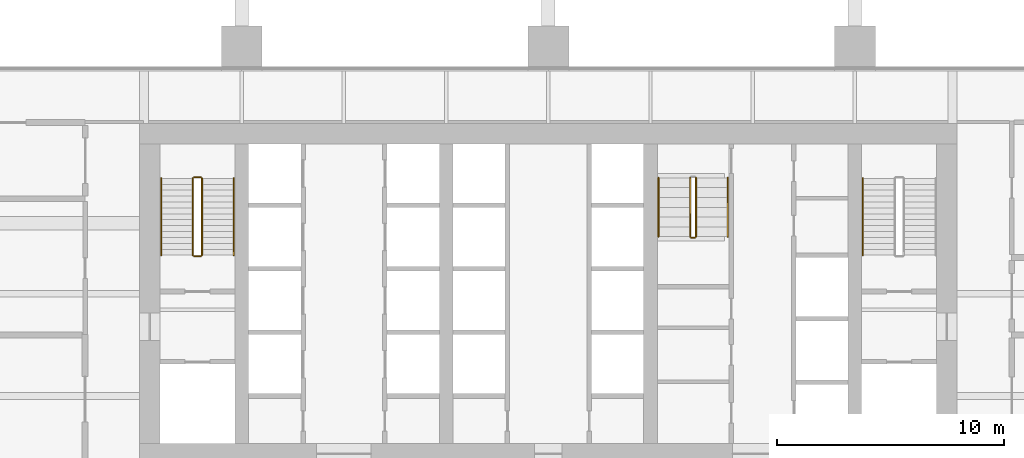
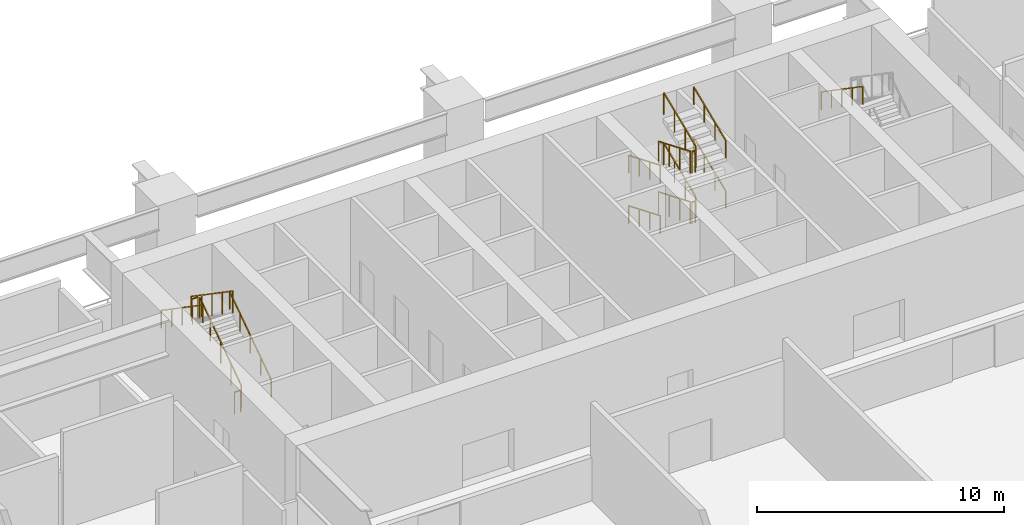
# One storey, part 8 of 11: 17 railings.
"""IFC4 building model written with IfcOpenShell, lengths in metres."""

from ifc_helpers import new_model, si_unit, direction, frame, origin, origin_2d, place, context, subcontext, project, spatial, rectangle, extrude, material, type_object, element, save


model = new_model("IFC4")

# Units and contexts
model_context = context("Model", 3, precision=1e-05, world=origin(), true_north=direction((0.0, 1.0)))
body_context = subcontext(model_context, "Body", "Model", "MODEL_VIEW")
ifc_project = project(units=[si_unit("LENGTHUNIT", "METRE"), si_unit("AREAUNIT", "SQUARE_METRE"), si_unit("VOLUMEUNIT", "CUBIC_METRE"), si_unit("PLANEANGLEUNIT", "RADIAN"), si_unit("MASSUNIT", "GRAM", prefix="KILO")], contexts=[model_context])

# Site, building, storey
site_placement = place(None, origin())
site = spatial("IfcSite", under=ifc_project, at=site_placement, CompositionType="ELEMENT")
building_placement = place(site_placement, origin())
building = spatial("IfcBuilding", under=site, at=building_placement, Name="Rattan Terrace Tower", CompositionType="ELEMENT")
storey_placement = place(building_placement, frame((0.0, 0.0, 69.300048828125)))
storey = spatial("IfcBuildingStorey", under=building, at=storey_placement, Name="L15", CompositionType="ELEMENT", Elevation=69.300048828125)

# Railings
ifc_material_1 = material(Name="Powder-coated steel guard", Category="steel")
railing_type_1 = type_object("IfcRailingType", Name="Core stair guard", PredefinedType="GUARDRAIL", material=ifc_material_1)
railing_1_placement = place(storey_placement, frame((-15.25, 1.699951171875, 0.178466796875)))
element("IfcRailing", 1, at=railing_1_placement, inside=storey, type_object=railing_type_1, Name="L15 S1 stair guard 1", PredefinedType="GUARDRAIL", context=body_context, shape_type="SweptSolid", body=[
    extrude(rectangle(XDim=0.048095703125, YDim=0.048095703125, at=origin_2d()), frame((0.0, 0.0, 1.076171875), z_axis=(0.0, 0.824304150675, 0.566147213346), x_axis=(-1.0, 0.0, 0.0)), (0.0, 0.0, 1.0), 4.1005859375),
    extrude(rectangle(XDim=0.0419921875, YDim=0.0419921875, at=origin_2d()), origin(), (0.0, 0.0, 1.0), 1.052001953125),
    extrude(rectangle(XDim=0.0419921875, YDim=0.0419921875, at=origin_2d()), frame((0.0, 0.844970703125, 0.580322265625)), (0.0, 0.0, 1.0), 1.052001953125),
    extrude(rectangle(XDim=0.0419921875, YDim=0.0419921875, at=origin_2d()), frame((0.0, 1.68994140625, 1.16064453125)), (0.0, 0.0, 1.0), 1.052001953125),
    extrude(rectangle(XDim=0.0419921875, YDim=0.0419921875, at=origin_2d()), frame((0.0, 2.53515625, 1.7412109375)), (0.0, 0.0, 1.0), 1.052001953125),
    extrude(rectangle(XDim=0.0419921875, YDim=0.0419921875, at=origin_2d()), frame((0.0, 3.380126953125, 2.321533203125)), (0.0, 0.0, 1.0), 1.052001953125),
])
railing_2_placement = place(storey_placement, frame((-15.300048828125, 5.1298828125, 2.5)))
element("IfcRailing", 2, at=railing_2_placement, inside=storey, type_object=railing_type_1, Name="L15 S1 stair guard 2", PredefinedType="GUARDRAIL", context=body_context, shape_type="SweptSolid", body=[
    extrude(rectangle(XDim=0.048095703125, YDim=0.048095703125, at=origin_2d()), frame((0.0, 0.0, 1.076171875), z_axis=(-1.0, 0.0, 0.0), x_axis=(0.0, -1.0, 0.0)), (0.0, 0.0, 1.0), 0.300048828125),
    extrude(rectangle(XDim=0.0419921875, YDim=0.0419921875, at=origin_2d()), origin(), (0.0, 0.0, 1.0), 1.052001953125),
    extrude(rectangle(XDim=0.0419921875, YDim=0.0419921875, at=origin_2d()), frame((-0.300048828125, 0.0, 0.0)), (0.0, 0.0, 1.0), 1.052001953125),
])
railing_3_placement = place(storey_placement, frame((-15.64990234375, 5.080078125, 2.678466796875)))
element("IfcRailing", 3, at=railing_3_placement, inside=storey, type_object=railing_type_1, Name="L15 S1 stair guard 3", PredefinedType="GUARDRAIL", context=body_context, shape_type="SweptSolid", body=[
    extrude(rectangle(XDim=0.048095703125, YDim=0.048095703125, at=origin_2d()), frame((0.0, 0.0, 1.076171875), z_axis=(0.0, -0.824304150675, 0.566147213346), x_axis=(1.0, 0.0, 0.0)), (0.0, 0.0, 1.0), 4.1005859375),
    extrude(rectangle(XDim=0.0419921875, YDim=0.0419921875, at=origin_2d()), origin(), (0.0, 0.0, 1.0), 1.052001953125),
    extrude(rectangle(XDim=0.0419921875, YDim=0.0419921875, at=origin_2d()), frame((0.0, -0.844970703125, 0.580322265625)), (0.0, 0.0, 1.0), 1.052001953125),
    extrude(rectangle(XDim=0.0419921875, YDim=0.0419921875, at=origin_2d()), frame((0.0, -1.68994140625, 1.16064453125)), (0.0, 0.0, 1.0), 1.052001953125),
    extrude(rectangle(XDim=0.0419921875, YDim=0.0419921875, at=origin_2d()), frame((0.0, -2.53515625, 1.7412109375)), (0.0, 0.0, 1.0), 1.052001953125),
    extrude(rectangle(XDim=0.0419921875, YDim=0.0419921875, at=origin_2d()), frame((0.0, -3.380126953125, 2.321533203125)), (0.0, 0.0, 1.0), 1.052001953125),
])
railing_4_placement = place(storey_placement, frame((-15.300048828125, 1.64990234375, 0.0)))
element("IfcRailing", 4, at=railing_4_placement, inside=storey, type_object=railing_type_1, Name="L15 S1 stair guard 4", PredefinedType="GUARDRAIL", context=body_context, shape_type="SweptSolid", body=[
    extrude(rectangle(XDim=0.048095703125, YDim=0.048095703125, at=origin_2d()), frame((0.0, 0.0, 1.076171875), z_axis=(-1.0, 0.0, 0.0), x_axis=(0.0, -1.0, 0.0)), (0.0, 0.0, 1.0), 0.300048828125),
    extrude(rectangle(XDim=0.0419921875, YDim=0.0419921875, at=origin_2d()), origin(), (0.0, 0.0, 1.0), 1.052001953125),
    extrude(rectangle(XDim=0.0419921875, YDim=0.0419921875, at=origin_2d()), frame((-0.300048828125, 0.0, 0.0)), (0.0, 0.0, 1.0), 1.052001953125),
])
railing_5_placement = place(storey_placement, frame((6.25, 5.10009765625, 0.178466796875)))
element("IfcRailing", 5, at=railing_5_placement, inside=storey, type_object=railing_type_1, Name="L15 S3 stair guard 1", PredefinedType="GUARDRAIL", context=body_context, shape_type="SweptSolid", body=[
    extrude(rectangle(XDim=0.048095703125, YDim=0.048095703125, at=origin_2d()), frame((0.0, 0.0, 1.076171875), z_axis=(0.0, -0.923521004632, 0.383547850996), x_axis=(1.0, 0.0, 0.0)), (0.0, 0.0, 1.0), 2.793701171875),
    extrude(rectangle(XDim=0.0419921875, YDim=0.0419921875, at=origin_2d()), origin(), (0.0, 0.0, 1.0), 1.052001953125),
    extrude(rectangle(XDim=0.0419921875, YDim=0.0419921875, at=origin_2d()), frame((0.0, -0.860107421875, 0.357177734375)), (0.0, 0.0, 1.0), 1.052001953125),
    extrude(rectangle(XDim=0.0419921875, YDim=0.0419921875, at=origin_2d()), frame((0.0, -1.719970703125, 0.71435546875)), (0.0, 0.0, 1.0), 1.052001953125),
    extrude(rectangle(XDim=0.0419921875, YDim=0.0419921875, at=origin_2d()), frame((0.0, -2.580078125, 1.071533203125)), (0.0, 0.0, 1.0), 1.052001953125),
])
railing_6_placement = place(storey_placement, frame((6.300048828125, 2.469970703125, 1.25)))
element("IfcRailing", 6, at=railing_6_placement, inside=storey, type_object=railing_type_1, Name="L15 S3 stair guard 2", PredefinedType="GUARDRAIL", context=body_context, shape_type="SweptSolid", body=[
    extrude(rectangle(XDim=0.048095703125, YDim=0.048095703125, at=origin_2d()), frame((0.0, 0.0, 1.076171875), z_axis=(1.0, 0.0, 0.0), x_axis=(0.0, 1.0, 0.0)), (0.0, 0.0, 1.0), 0.14990234375),
    extrude(rectangle(XDim=0.0419921875, YDim=0.0419921875, at=origin_2d()), origin(), (0.0, 0.0, 1.0), 1.052001953125),
    extrude(rectangle(XDim=0.0419921875, YDim=0.0419921875, at=origin_2d()), frame((0.14990234375, 0.0, 0.0)), (0.0, 0.0, 1.0), 1.052001953125),
])
railing_7_placement = place(storey_placement, frame((6.5, 2.52001953125, 1.428466796875)))
element("IfcRailing", 7, at=railing_7_placement, inside=storey, type_object=railing_type_1, Name="L15 S3 stair guard 3", PredefinedType="GUARDRAIL", context=body_context, shape_type="SweptSolid", body=[
    extrude(rectangle(XDim=0.048095703125, YDim=0.048095703125, at=origin_2d()), frame((0.0, 0.0, 1.076171875), z_axis=(0.0, 0.923521004632, 0.383547850996), x_axis=(-1.0, 0.0, 0.0)), (0.0, 0.0, 1.0), 2.793701171875),
    extrude(rectangle(XDim=0.0419921875, YDim=0.0419921875, at=origin_2d()), origin(), (0.0, 0.0, 1.0), 1.052001953125),
    extrude(rectangle(XDim=0.0419921875, YDim=0.0419921875, at=origin_2d()), frame((0.0, 0.860107421875, 0.357177734375)), (0.0, 0.0, 1.0), 1.052001953125),
    extrude(rectangle(XDim=0.0419921875, YDim=0.0419921875, at=origin_2d()), frame((0.0, 1.719970703125, 0.71435546875)), (0.0, 0.0, 1.0), 1.052001953125),
    extrude(rectangle(XDim=0.0419921875, YDim=0.0419921875, at=origin_2d()), frame((0.0, 2.580078125, 1.071533203125)), (0.0, 0.0, 1.0), 1.052001953125),
])
railing_8_placement = place(storey_placement, frame((6.25, 5.10009765625, 2.678466796875)))
element("IfcRailing", 8, at=railing_8_placement, inside=storey, type_object=railing_type_1, Name="L15 S3 stair guard 5", PredefinedType="GUARDRAIL", context=body_context, shape_type="SweptSolid", body=[
    extrude(rectangle(XDim=0.048095703125, YDim=0.048095703125, at=origin_2d()), frame((0.0, 0.0, 1.076171875), z_axis=(0.0, -0.923521004632, 0.383547850996), x_axis=(1.0, 0.0, 0.0)), (0.0, 0.0, 1.0), 2.793701171875),
    extrude(rectangle(XDim=0.0419921875, YDim=0.0419921875, at=origin_2d()), origin(), (0.0, 0.0, 1.0), 1.052001953125),
    extrude(rectangle(XDim=0.0419921875, YDim=0.0419921875, at=origin_2d()), frame((0.0, -0.860107421875, 0.357177734375)), (0.0, 0.0, 1.0), 1.052001953125),
    extrude(rectangle(XDim=0.0419921875, YDim=0.0419921875, at=origin_2d()), frame((0.0, -1.719970703125, 0.71435546875)), (0.0, 0.0, 1.0), 1.052001953125),
    extrude(rectangle(XDim=0.0419921875, YDim=0.0419921875, at=origin_2d()), frame((0.0, -2.580078125, 1.071533203125)), (0.0, 0.0, 1.0), 1.052001953125),
])
railing_9_placement = place(storey_placement, frame((6.300048828125, 2.469970703125, 3.75)))
element("IfcRailing", 9, at=railing_9_placement, inside=storey, type_object=railing_type_1, Name="L15 S3 stair guard 6", PredefinedType="GUARDRAIL", context=body_context, shape_type="SweptSolid", body=[
    extrude(rectangle(XDim=0.048095703125, YDim=0.048095703125, at=origin_2d()), frame((0.0, 0.0, 1.076171875), z_axis=(1.0, 0.0, 0.0), x_axis=(0.0, 1.0, 0.0)), (0.0, 0.0, 1.0), 0.14990234375),
    extrude(rectangle(XDim=0.0419921875, YDim=0.0419921875, at=origin_2d()), origin(), (0.0, 0.0, 1.0), 1.052001953125),
    extrude(rectangle(XDim=0.0419921875, YDim=0.0419921875, at=origin_2d()), frame((0.14990234375, 0.0, 0.0)), (0.0, 0.0, 1.0), 1.052001953125),
])
railing_10_placement = place(storey_placement, frame((6.5, 2.52001953125, 3.928466796875)))
element("IfcRailing", 10, at=railing_10_placement, inside=storey, type_object=railing_type_1, Name="L15 S3 stair guard 7", PredefinedType="GUARDRAIL", context=body_context, shape_type="SweptSolid", body=[
    extrude(rectangle(XDim=0.048095703125, YDim=0.048095703125, at=origin_2d()), frame((0.0, 0.0, 1.076171875), z_axis=(0.0, 0.923521004632, 0.383547850996), x_axis=(-1.0, 0.0, 0.0)), (0.0, 0.0, 1.0), 2.793701171875),
    extrude(rectangle(XDim=0.0419921875, YDim=0.0419921875, at=origin_2d()), origin(), (0.0, 0.0, 1.0), 1.052001953125),
    extrude(rectangle(XDim=0.0419921875, YDim=0.0419921875, at=origin_2d()), frame((0.0, 0.860107421875, 0.357177734375)), (0.0, 0.0, 1.0), 1.052001953125),
    extrude(rectangle(XDim=0.0419921875, YDim=0.0419921875, at=origin_2d()), frame((0.0, 1.719970703125, 0.71435546875)), (0.0, 0.0, 1.0), 1.052001953125),
    extrude(rectangle(XDim=0.0419921875, YDim=0.0419921875, at=origin_2d()), frame((0.0, 2.580078125, 1.071533203125)), (0.0, 0.0, 1.0), 1.052001953125),
])
ifc_material_2 = material(Name="Powder-coated steel handrail", Category="steel")
railing_type_2 = type_object("IfcRailingType", Name="Core stair handrail", PredefinedType="HANDRAIL", material=ifc_material_2)
railing_11_placement = place(storey_placement, frame((-13.85009765625, 1.699951171875, 0.178466796875)))
element("IfcRailing", 11, at=railing_11_placement, inside=storey, type_object=railing_type_2, Name="L15 S1 stair handrail 1", PredefinedType="HANDRAIL", context=body_context, shape_type="SweptSolid", body=[
    extrude(rectangle(XDim=0.048095703125, YDim=0.048095703125, at=origin_2d()), frame((0.0, 0.0, 0.8759765625), z_axis=(0.0, 0.824304150675, 0.566147213346), x_axis=(-1.0, 0.0, 0.0)), (0.0, 0.0, 1.0), 4.1005859375),
    extrude(rectangle(XDim=0.0419921875, YDim=0.0419921875, at=origin_2d()), origin(), (0.0, 0.0, 1.0), 0.851806640625),
    extrude(rectangle(XDim=0.0419921875, YDim=0.0419921875, at=origin_2d()), frame((0.0, 0.844970703125, 0.580322265625)), (0.0, 0.0, 1.0), 0.851806640625),
    extrude(rectangle(XDim=0.0419921875, YDim=0.0419921875, at=origin_2d()), frame((0.0, 1.68994140625, 1.16064453125)), (0.0, 0.0, 1.0), 0.851806640625),
    extrude(rectangle(XDim=0.0419921875, YDim=0.0419921875, at=origin_2d()), frame((0.0, 2.53515625, 1.7412109375)), (0.0, 0.0, 1.0), 0.851806640625),
    extrude(rectangle(XDim=0.0419921875, YDim=0.0419921875, at=origin_2d()), frame((0.0, 3.380126953125, 2.321533203125)), (0.0, 0.0, 1.0), 0.851806640625),
])
for number, where, name in (
    (12, (-17.050048828125, 5.080078125, 2.678466796875), "L15 S1 stair handrail 2"),
    (13, (13.85009765625, 5.080078125, 2.678466796875), "L15 S2 stair handrail 2"),
):
    element("IfcRailing", number, at=place(storey_placement, frame(where)), inside=storey, type_object=railing_type_2, Name=name, PredefinedType="HANDRAIL", context=body_context, shape_type="SweptSolid", body=[
        extrude(rectangle(XDim=0.048095703125, YDim=0.048095703125, at=origin_2d()), frame((0.0, 0.0, 0.8759765625), z_axis=(0.0, -0.824304150675, 0.566147213346), x_axis=(1.0, 0.0, 0.0)), (0.0, 0.0, 1.0), 4.1005859375),
        extrude(rectangle(XDim=0.0419921875, YDim=0.0419921875, at=origin_2d()), origin(), (0.0, 0.0, 1.0), 0.851806640625),
        extrude(rectangle(XDim=0.0419921875, YDim=0.0419921875, at=origin_2d()), frame((0.0, -0.844970703125, 0.580322265625)), (0.0, 0.0, 1.0), 0.851806640625),
        extrude(rectangle(XDim=0.0419921875, YDim=0.0419921875, at=origin_2d()), frame((0.0, -1.68994140625, 1.16064453125)), (0.0, 0.0, 1.0), 0.851806640625),
        extrude(rectangle(XDim=0.0419921875, YDim=0.0419921875, at=origin_2d()), frame((0.0, -2.53515625, 1.7412109375)), (0.0, 0.0, 1.0), 0.851806640625),
        extrude(rectangle(XDim=0.0419921875, YDim=0.0419921875, at=origin_2d()), frame((0.0, -3.380126953125, 2.321533203125)), (0.0, 0.0, 1.0), 0.851806640625),
    ])
railing_12_placement = place(storey_placement, frame((4.85009765625, 5.10009765625, 0.178466796875)))
element("IfcRailing", 14, at=railing_12_placement, inside=storey, type_object=railing_type_2, Name="L15 S3 stair handrail 1", PredefinedType="HANDRAIL", context=body_context, shape_type="SweptSolid", body=[
    extrude(rectangle(XDim=0.048095703125, YDim=0.048095703125, at=origin_2d()), frame((0.0, 0.0, 0.8759765625), z_axis=(0.0, -0.923521004632, 0.383547850996), x_axis=(1.0, 0.0, 0.0)), (0.0, 0.0, 1.0), 2.793701171875),
    extrude(rectangle(XDim=0.0419921875, YDim=0.0419921875, at=origin_2d()), origin(), (0.0, 0.0, 1.0), 0.851806640625),
    extrude(rectangle(XDim=0.0419921875, YDim=0.0419921875, at=origin_2d()), frame((0.0, -0.860107421875, 0.357177734375)), (0.0, 0.0, 1.0), 0.851806640625),
    extrude(rectangle(XDim=0.0419921875, YDim=0.0419921875, at=origin_2d()), frame((0.0, -1.719970703125, 0.71435546875)), (0.0, 0.0, 1.0), 0.851806640625),
    extrude(rectangle(XDim=0.0419921875, YDim=0.0419921875, at=origin_2d()), frame((0.0, -2.580078125, 1.071533203125)), (0.0, 0.0, 1.0), 0.851806640625),
])
railing_13_placement = place(storey_placement, frame((7.89990234375, 2.52001953125, 1.428466796875)))
element("IfcRailing", 15, at=railing_13_placement, inside=storey, type_object=railing_type_2, Name="L15 S3 stair handrail 2", PredefinedType="HANDRAIL", context=body_context, shape_type="SweptSolid", body=[
    extrude(rectangle(XDim=0.048095703125, YDim=0.048095703125, at=origin_2d()), frame((0.0, 0.0, 0.8759765625), z_axis=(0.0, 0.923521004632, 0.383547850996), x_axis=(-1.0, 0.0, 0.0)), (0.0, 0.0, 1.0), 2.793701171875),
    extrude(rectangle(XDim=0.0419921875, YDim=0.0419921875, at=origin_2d()), origin(), (0.0, 0.0, 1.0), 0.851806640625),
    extrude(rectangle(XDim=0.0419921875, YDim=0.0419921875, at=origin_2d()), frame((0.0, 0.860107421875, 0.357177734375)), (0.0, 0.0, 1.0), 0.851806640625),
    extrude(rectangle(XDim=0.0419921875, YDim=0.0419921875, at=origin_2d()), frame((0.0, 1.719970703125, 0.71435546875)), (0.0, 0.0, 1.0), 0.851806640625),
    extrude(rectangle(XDim=0.0419921875, YDim=0.0419921875, at=origin_2d()), frame((0.0, 2.580078125, 1.071533203125)), (0.0, 0.0, 1.0), 0.851806640625),
])
railing_14_placement = place(storey_placement, frame((4.85009765625, 5.10009765625, 2.678466796875)))
element("IfcRailing", 16, at=railing_14_placement, inside=storey, type_object=railing_type_2, Name="L15 S3 stair handrail 3", PredefinedType="HANDRAIL", context=body_context, shape_type="SweptSolid", body=[
    extrude(rectangle(XDim=0.048095703125, YDim=0.048095703125, at=origin_2d()), frame((0.0, 0.0, 0.8759765625), z_axis=(0.0, -0.923521004632, 0.383547850996), x_axis=(1.0, 0.0, 0.0)), (0.0, 0.0, 1.0), 2.793701171875),
    extrude(rectangle(XDim=0.0419921875, YDim=0.0419921875, at=origin_2d()), origin(), (0.0, 0.0, 1.0), 0.851806640625),
    extrude(rectangle(XDim=0.0419921875, YDim=0.0419921875, at=origin_2d()), frame((0.0, -0.860107421875, 0.357177734375)), (0.0, 0.0, 1.0), 0.851806640625),
    extrude(rectangle(XDim=0.0419921875, YDim=0.0419921875, at=origin_2d()), frame((0.0, -1.719970703125, 0.71435546875)), (0.0, 0.0, 1.0), 0.851806640625),
    extrude(rectangle(XDim=0.0419921875, YDim=0.0419921875, at=origin_2d()), frame((0.0, -2.580078125, 1.071533203125)), (0.0, 0.0, 1.0), 0.851806640625),
])
railing_15_placement = place(storey_placement, frame((7.89990234375, 2.52001953125, 3.928466796875)))
element("IfcRailing", 17, at=railing_15_placement, inside=storey, type_object=railing_type_2, Name="L15 S3 stair handrail 4", PredefinedType="HANDRAIL", context=body_context, shape_type="SweptSolid", body=[
    extrude(rectangle(XDim=0.048095703125, YDim=0.048095703125, at=origin_2d()), frame((0.0, 0.0, 0.8759765625), z_axis=(0.0, 0.923521004632, 0.383547850996), x_axis=(-1.0, 0.0, 0.0)), (0.0, 0.0, 1.0), 2.793701171875),
    extrude(rectangle(XDim=0.0419921875, YDim=0.0419921875, at=origin_2d()), origin(), (0.0, 0.0, 1.0), 0.851806640625),
    extrude(rectangle(XDim=0.0419921875, YDim=0.0419921875, at=origin_2d()), frame((0.0, 0.860107421875, 0.357177734375)), (0.0, 0.0, 1.0), 0.851806640625),
    extrude(rectangle(XDim=0.0419921875, YDim=0.0419921875, at=origin_2d()), frame((0.0, 1.719970703125, 0.71435546875)), (0.0, 0.0, 1.0), 0.851806640625),
    extrude(rectangle(XDim=0.0419921875, YDim=0.0419921875, at=origin_2d()), frame((0.0, 2.580078125, 1.071533203125)), (0.0, 0.0, 1.0), 0.851806640625),
])

save(model, "model.ifc")
